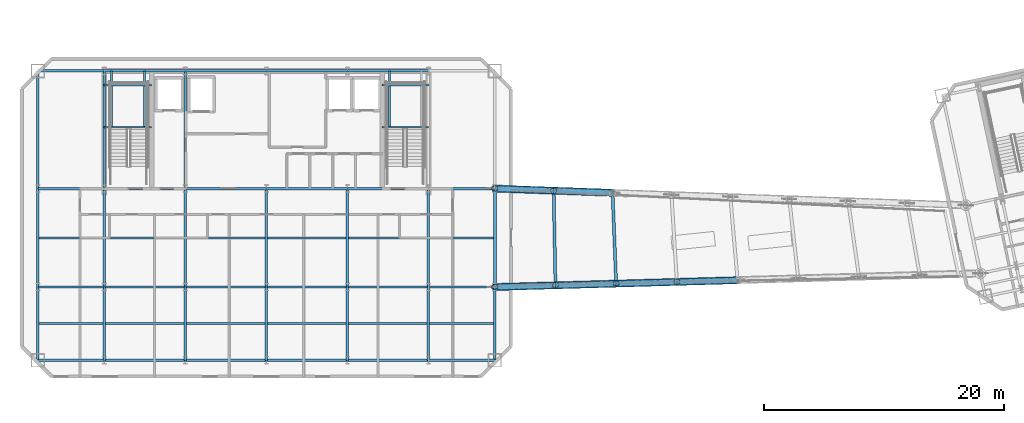
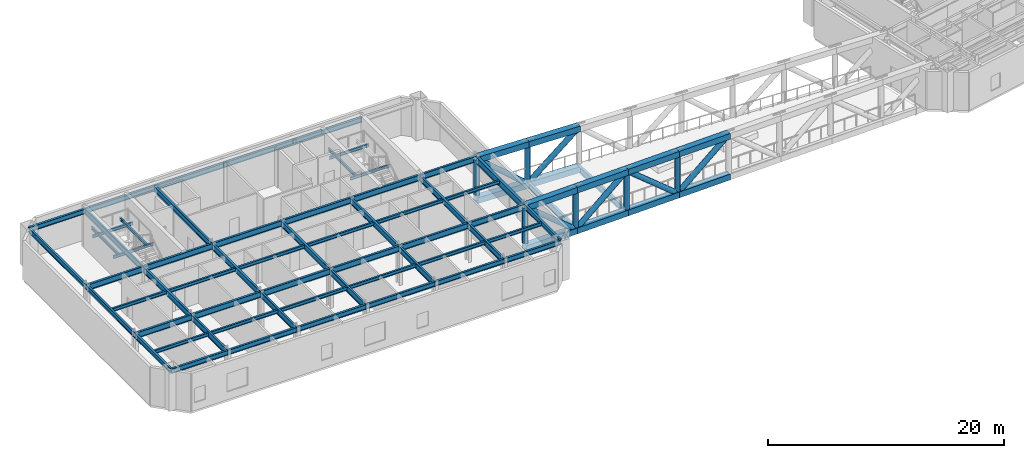
# One storey, part 3 of 14: 61 beams, 24 members.
"""IFC4 building model written with IfcOpenShell, lengths in metres."""

from ifc_helpers import new_model, si_unit, direction, frame, origin, origin_2d, place, context, subcontext, project, spatial, hollow_rectangle, hollow_circle, i_section, extrude, material, material_profile, profile_set, type_object, element, save


model = new_model("IFC4")

# Units and contexts
model_context = context("Model", 3, precision=1e-05, world=origin(), true_north=direction((0.0, 1.0)))
body_context = subcontext(model_context, "Body", "Model", "MODEL_VIEW")
ifc_project = project(units=[si_unit("LENGTHUNIT", "METRE"), si_unit("AREAUNIT", "SQUARE_METRE"), si_unit("VOLUMEUNIT", "CUBIC_METRE"), si_unit("PLANEANGLEUNIT", "RADIAN"), si_unit("MASSUNIT", "GRAM", prefix="KILO")], contexts=[model_context])

# Site, building, storey
site_placement = place(None, origin())
site = spatial("IfcSite", under=ifc_project, at=site_placement, CompositionType="ELEMENT")
building_placement = place(site_placement, origin())
building = spatial("IfcBuilding", under=site, at=building_placement, Name="Haevon Station Towers", CompositionType="ELEMENT")
storey_placement = place(building_placement, frame((0.0, 0.0, 201.300048828125)))
storey = spatial("IfcBuildingStorey", under=building, at=storey_placement, Name="L55", CompositionType="ELEMENT", Elevation=201.300048828125)

# Beams
ifc_material_1 = material(Name="Steel S355", Category="steel")
ifc_material_profile_1 = material_profile(ifc_material_1, i_section(OverallWidth=0.199951171875, OverallDepth=0.60009765625, WebThickness=0.010986328125, FlangeThickness=0.01708984375, at=origin_2d()), Name="H-600x200x11x17")
ifc_profile_set_1 = profile_set([ifc_material_profile_1], Name="Steel S355")
beam_type_1 = type_object("IfcBeamType", Name="BM-G600", PredefinedType="BEAM", material=ifc_profile_set_1)
beam_1_placement = place(storey_placement, frame((18.47509765625, 30.0, 3.64990234375), z_axis=(1.0, 0.0, 0.0), x_axis=(0.0, 1.0, 0.0)))
element("IfcBeam", 1, at=beam_1_placement, inside=storey, type_object=beam_type_1, Name="BM-T1U-L55-02-01", PredefinedType="BEAM", context=body_context, shape_type="SweptSolid", body=[
    extrude(i_section(OverallWidth=0.199951171875, OverallDepth=0.60009765625, WebThickness=0.010986328125, FlangeThickness=0.01708984375, at=origin_2d()), origin(), (0.0, 0.0, 1.0), 5.52490234375),
])
for number, where, z_axis, x_axis, name in (
    (2, (24.0, 30.0, 3.64990234375), (1.0, 0.0, 0.0), (0.0, 1.0, 0.0), "BM-T1U-L55-02-02"),
    (3, (30.75, 30.0, 3.64990234375), (1.0, 0.0, 0.0), (0.0, 1.0, 0.0), "BM-T1U-L55-02-03"),
    (4, (37.5, 30.0, 3.64990234375), (1.0, 0.0, 0.0), (0.0, 1.0, 0.0), "BM-T1U-L55-02-04"),
    (5, (44.25, 30.0, 3.64990234375), (1.0, 0.0, 0.0), (0.0, 1.0, 0.0), "BM-T1U-L55-02-05"),
):
    element("IfcBeam", number, at=place(storey_placement, frame(where, z_axis=z_axis, x_axis=x_axis)), inside=storey, type_object=beam_type_1, Name=name, PredefinedType="BEAM", context=body_context, shape_type="SweptSolid", body=[
        extrude(i_section(OverallWidth=0.199951171875, OverallDepth=0.60009765625, WebThickness=0.010986328125, FlangeThickness=0.01708984375, at=origin_2d()), origin(), (0.0, 0.0, 1.0), 6.75),
    ])
for number, where, z_axis, x_axis, name in (
    (6, (51.0, 30.0, 3.64990234375), (1.0, 0.0, 0.0), (0.0, 1.0, 0.0), "BM-T1U-L55-02-06"),
    (7, (18.47509765625, 38.199951171875, 3.64990234375), (1.0, 0.0, 0.0), (0.0, 1.0, 0.0), "BM-T1U-L55-03-01"),
):
    element("IfcBeam", number, at=place(storey_placement, frame(where, z_axis=z_axis, x_axis=x_axis)), inside=storey, type_object=beam_type_1, Name=name, PredefinedType="BEAM", context=body_context, shape_type="SweptSolid", body=[
        extrude(i_section(OverallWidth=0.199951171875, OverallDepth=0.60009765625, WebThickness=0.010986328125, FlangeThickness=0.01708984375, at=origin_2d()), origin(), (0.0, 0.0, 1.0), 5.52490234375),
    ])
for number, where, z_axis, x_axis, name in (
    (8, (24.0, 38.199951171875, 3.64990234375), (1.0, 0.0, 0.0), (0.0, 1.0, 0.0), "BM-T1U-L55-03-02"),
    (9, (30.75, 38.199951171875, 3.64990234375), (1.0, 0.0, 0.0), (0.0, 1.0, 0.0), "BM-T1U-L55-03-03"),
    (10, (37.5, 38.199951171875, 3.64990234375), (1.0, 0.0, 0.0), (0.0, 1.0, 0.0), "BM-T1U-L55-03-04"),
    (11, (44.25, 38.199951171875, 3.64990234375), (1.0, 0.0, 0.0), (0.0, 1.0, 0.0), "BM-T1U-L55-03-05"),
):
    element("IfcBeam", number, at=place(storey_placement, frame(where, z_axis=z_axis, x_axis=x_axis)), inside=storey, type_object=beam_type_1, Name=name, PredefinedType="BEAM", context=body_context, shape_type="SweptSolid", body=[
        extrude(i_section(OverallWidth=0.199951171875, OverallDepth=0.60009765625, WebThickness=0.010986328125, FlangeThickness=0.01708984375, at=origin_2d()), origin(), (0.0, 0.0, 1.0), 6.75),
    ])
beam_2_placement = place(storey_placement, frame((51.0, 38.199951171875, 3.64990234375), z_axis=(1.0, 0.0, 0.0), x_axis=(0.0, 1.0, 0.0)))
element("IfcBeam", 12, at=beam_2_placement, inside=storey, type_object=beam_type_1, Name="BM-T1U-L55-03-06", PredefinedType="BEAM", context=body_context, shape_type="SweptSolid", body=[
    extrude(i_section(OverallWidth=0.199951171875, OverallDepth=0.60009765625, WebThickness=0.010986328125, FlangeThickness=0.01708984375, at=origin_2d()), origin(), (0.0, 0.0, 1.0), 5.52490234375),
])
beam_3_placement = place(storey_placement, frame((24.0, 23.89990234375, 3.64990234375), z_axis=(0.0, 1.0, 0.0), x_axis=(-1.0, 0.0, 0.0)))
element("IfcBeam", 13, at=beam_3_placement, inside=storey, type_object=beam_type_1, Name="BM-T1V-L55-02-01", PredefinedType="BEAM", context=body_context, shape_type="SweptSolid", body=[
    extrude(i_section(OverallWidth=0.199951171875, OverallDepth=0.60009765625, WebThickness=0.010986328125, FlangeThickness=0.01708984375, at=origin_2d()), origin(), (0.0, 0.0, 1.0), 6.10009765625),
])
beam_4_placement = place(storey_placement, frame((24.0, 30.0, 3.64990234375), z_axis=(0.0, 1.0, 0.0), x_axis=(-1.0, 0.0, 0.0)))
element("IfcBeam", 14, at=beam_4_placement, inside=storey, type_object=beam_type_1, Name="BM-T1V-L55-02-02", PredefinedType="BEAM", context=body_context, shape_type="SweptSolid", body=[
    extrude(i_section(OverallWidth=0.199951171875, OverallDepth=0.60009765625, WebThickness=0.010986328125, FlangeThickness=0.01708984375, at=origin_2d()), origin(), (0.0, 0.0, 1.0), 8.199951171875),
])
beam_5_placement = place(storey_placement, frame((24.0, 38.199951171875, 3.64990234375), z_axis=(0.0, 1.0, 0.0), x_axis=(-1.0, 0.0, 0.0)))
element("IfcBeam", 15, at=beam_5_placement, inside=storey, type_object=beam_type_1, Name="BM-T1V-L55-02-03", PredefinedType="BEAM", context=body_context, shape_type="SweptSolid", body=[
    extrude(i_section(OverallWidth=0.199951171875, OverallDepth=0.60009765625, WebThickness=0.010986328125, FlangeThickness=0.01708984375, at=origin_2d()), origin(), (0.0, 0.0, 1.0), 9.800048828125),
])
beam_6_placement = place(storey_placement, frame((30.75, 23.89990234375, 3.64990234375), z_axis=(0.0, 1.0, 0.0), x_axis=(-1.0, 0.0, 0.0)))
element("IfcBeam", 16, at=beam_6_placement, inside=storey, type_object=beam_type_1, Name="BM-T1V-L55-03-01", PredefinedType="BEAM", context=body_context, shape_type="SweptSolid", body=[
    extrude(i_section(OverallWidth=0.199951171875, OverallDepth=0.60009765625, WebThickness=0.010986328125, FlangeThickness=0.01708984375, at=origin_2d()), origin(), (0.0, 0.0, 1.0), 6.10009765625),
])
beam_7_placement = place(storey_placement, frame((30.75, 30.0, 3.64990234375), z_axis=(0.0, 1.0, 0.0), x_axis=(-1.0, 0.0, 0.0)))
element("IfcBeam", 17, at=beam_7_placement, inside=storey, type_object=beam_type_1, Name="BM-T1V-L55-03-02", PredefinedType="BEAM", context=body_context, shape_type="SweptSolid", body=[
    extrude(i_section(OverallWidth=0.199951171875, OverallDepth=0.60009765625, WebThickness=0.010986328125, FlangeThickness=0.01708984375, at=origin_2d()), origin(), (0.0, 0.0, 1.0), 8.199951171875),
])
beam_8_placement = place(storey_placement, frame((30.75, 38.199951171875, 3.64990234375), z_axis=(0.0, 1.0, 0.0), x_axis=(-1.0, 0.0, 0.0)))
element("IfcBeam", 18, at=beam_8_placement, inside=storey, type_object=beam_type_1, Name="BM-T1V-L55-03-03", PredefinedType="BEAM", context=body_context, shape_type="SweptSolid", body=[
    extrude(i_section(OverallWidth=0.199951171875, OverallDepth=0.60009765625, WebThickness=0.010986328125, FlangeThickness=0.01708984375, at=origin_2d()), origin(), (0.0, 0.0, 1.0), 9.800048828125),
])
beam_9_placement = place(storey_placement, frame((37.5, 23.89990234375, 3.64990234375), z_axis=(0.0, 1.0, 0.0), x_axis=(-1.0, 0.0, 0.0)))
element("IfcBeam", 19, at=beam_9_placement, inside=storey, type_object=beam_type_1, Name="BM-T1V-L55-04-01", PredefinedType="BEAM", context=body_context, shape_type="SweptSolid", body=[
    extrude(i_section(OverallWidth=0.199951171875, OverallDepth=0.60009765625, WebThickness=0.010986328125, FlangeThickness=0.01708984375, at=origin_2d()), origin(), (0.0, 0.0, 1.0), 6.10009765625),
])
beam_10_placement = place(storey_placement, frame((37.5, 30.0, 3.64990234375), z_axis=(0.0, 1.0, 0.0), x_axis=(-1.0, 0.0, 0.0)))
element("IfcBeam", 20, at=beam_10_placement, inside=storey, type_object=beam_type_1, Name="BM-T1V-L55-04-02", PredefinedType="BEAM", context=body_context, shape_type="SweptSolid", body=[
    extrude(i_section(OverallWidth=0.199951171875, OverallDepth=0.60009765625, WebThickness=0.010986328125, FlangeThickness=0.01708984375, at=origin_2d()), origin(), (0.0, 0.0, 1.0), 8.199951171875),
])
beam_11_placement = place(storey_placement, frame((44.25, 23.89990234375, 3.64990234375), z_axis=(0.0, 1.0, 0.0), x_axis=(-1.0, 0.0, 0.0)))
element("IfcBeam", 21, at=beam_11_placement, inside=storey, type_object=beam_type_1, Name="BM-T1V-L55-05-01", PredefinedType="BEAM", context=body_context, shape_type="SweptSolid", body=[
    extrude(i_section(OverallWidth=0.199951171875, OverallDepth=0.60009765625, WebThickness=0.010986328125, FlangeThickness=0.01708984375, at=origin_2d()), origin(), (0.0, 0.0, 1.0), 6.10009765625),
])
beam_12_placement = place(storey_placement, frame((44.25, 30.0, 3.64990234375), z_axis=(0.0, 1.0, 0.0), x_axis=(-1.0, 0.0, 0.0)))
element("IfcBeam", 22, at=beam_12_placement, inside=storey, type_object=beam_type_1, Name="BM-T1V-L55-05-02", PredefinedType="BEAM", context=body_context, shape_type="SweptSolid", body=[
    extrude(i_section(OverallWidth=0.199951171875, OverallDepth=0.60009765625, WebThickness=0.010986328125, FlangeThickness=0.01708984375, at=origin_2d()), origin(), (0.0, 0.0, 1.0), 8.199951171875),
])
beam_13_placement = place(storey_placement, frame((51.0, 23.89990234375, 3.64990234375), z_axis=(0.0, 1.0, 0.0), x_axis=(-1.0, 0.0, 0.0)))
element("IfcBeam", 23, at=beam_13_placement, inside=storey, type_object=beam_type_1, Name="BM-T1V-L55-06-01", PredefinedType="BEAM", context=body_context, shape_type="SweptSolid", body=[
    extrude(i_section(OverallWidth=0.199951171875, OverallDepth=0.60009765625, WebThickness=0.010986328125, FlangeThickness=0.01708984375, at=origin_2d()), origin(), (0.0, 0.0, 1.0), 6.10009765625),
])
beam_14_placement = place(storey_placement, frame((51.0, 30.0, 3.64990234375), z_axis=(0.0, 1.0, 0.0), x_axis=(-1.0, 0.0, 0.0)))
element("IfcBeam", 24, at=beam_14_placement, inside=storey, type_object=beam_type_1, Name="BM-T1V-L55-06-02", PredefinedType="BEAM", context=body_context, shape_type="SweptSolid", body=[
    extrude(i_section(OverallWidth=0.199951171875, OverallDepth=0.60009765625, WebThickness=0.010986328125, FlangeThickness=0.01708984375, at=origin_2d()), origin(), (0.0, 0.0, 1.0), 8.199951171875),
])
ifc_material_profile_2 = material_profile(ifc_material_1, i_section(OverallWidth=0.25, OverallDepth=0.64990234375, WebThickness=0.012939453125, FlangeThickness=0.02197265625, at=origin_2d()), Name="H-650x250x13x22")
ifc_profile_set_2 = profile_set([ifc_material_profile_2], Name="Steel S355")
beam_type_2 = type_object("IfcBeamType", Name="BM-G650", PredefinedType="BEAM", material=ifc_profile_set_2)
beam_15_placement = place(storey_placement, frame((61.581298828125, 30.141845703125, -0.574951171875), z_axis=(-0.019133178652, 0.999816943983, 0.0), x_axis=(-0.999816943983, -0.019133178652, 0.0)))
element("IfcBeam", 25, at=beam_15_placement, inside=storey, type_object=beam_type_2, Name="BM-SKP-L55-1", PredefinedType="BEAM", context=body_context, shape_type="SweptSolid", body=[
    extrude(i_section(OverallWidth=0.25, OverallDepth=0.64990234375, WebThickness=0.012939453125, FlangeThickness=0.02197265625, at=origin_2d()), origin(), (0.0, 0.0, 1.0), 7.8857421875),
])
beam_16_placement = place(storey_placement, frame((66.637451171875, 30.28369140625, -0.574951171875), z_axis=(-0.039807132798, 0.999207381968, 0.0), x_axis=(-0.999207381968, -0.039807132798, 0.0)))
element("IfcBeam", 26, at=beam_16_placement, inside=storey, type_object=beam_type_2, Name="BM-SKP-L55-2", PredefinedType="BEAM", context=body_context, shape_type="SweptSolid", body=[
    extrude(i_section(OverallWidth=0.25, OverallDepth=0.64990234375, WebThickness=0.012939453125, FlangeThickness=0.02197265625, at=origin_2d()), origin(), (0.0, 0.0, 1.0), 7.574462890625),
])
ifc_material_profile_3 = material_profile(ifc_material_1, i_section(OverallWidth=0.25, OverallDepth=0.699951171875, WebThickness=0.012939453125, FlangeThickness=0.02392578125, at=origin_2d()), Name="H-700x250x13x24")
ifc_profile_set_3 = profile_set([ifc_material_profile_3], Name="Steel S355")
beam_type_3 = type_object("IfcBeamType", Name="BM-G700", PredefinedType="BEAM", material=ifc_profile_set_3)
beam_17_placement = place(storey_placement, frame((56.52490234375, 30.0, 3.599853515625), z_axis=(0.0, 1.0, 0.0), x_axis=(-1.0, 0.0, 0.0)))
element("IfcBeam", 27, at=beam_17_placement, inside=storey, type_object=beam_type_3, Name="BM-T1V-L55-07-02", PredefinedType="BEAM", context=body_context, shape_type="SweptSolid", body=[
    extrude(i_section(OverallWidth=0.25, OverallDepth=0.699951171875, WebThickness=0.012939453125, FlangeThickness=0.02392578125, at=origin_2d()), origin(), (0.0, 0.0, 1.0), 8.199951171875),
])
ifc_material_profile_4 = material_profile(ifc_material_1, i_section(OverallWidth=0.175048828125, OverallDepth=0.35009765625, WebThickness=0.007080078125, FlangeThickness=0.010986328125, at=origin_2d()), Name="H-350x175x7x11")
ifc_profile_set_4 = profile_set([ifc_material_profile_4], Name="Steel S355")
beam_type_4 = type_object("IfcBeamType", Name="BM-J350", PredefinedType="JOIST", material=ifc_profile_set_4)
beam_18_placement = place(storey_placement, frame((18.5849609375, 26.949951171875, 3.77490234375), z_axis=(1.0, 0.0, 0.0), x_axis=(0.0, 1.0, 0.0)))
element("IfcBeam", 28, at=beam_18_placement, inside=storey, type_object=beam_type_4, Name="BM-T1J-L55-01-01", PredefinedType="JOIST", context=body_context, shape_type="SweptSolid", body=[
    extrude(i_section(OverallWidth=0.175048828125, OverallDepth=0.35009765625, WebThickness=0.007080078125, FlangeThickness=0.010986328125, at=origin_2d()), origin(), (0.0, 0.0, 1.0), 5.304931640625),
])
for number, where, z_axis, x_axis, name in (
    (29, (24.110107421875, 26.949951171875, 3.77490234375), (1.0, 0.0, 0.0), (0.0, 1.0, 0.0), "BM-T1J-L55-01-02"),
    (30, (30.860107421875, 26.949951171875, 3.77490234375), (1.0, 0.0, 0.0), (0.0, 1.0, 0.0), "BM-T1J-L55-01-03"),
    (31, (37.610107421875, 26.949951171875, 3.77490234375), (1.0, 0.0, 0.0), (0.0, 1.0, 0.0), "BM-T1J-L55-01-04"),
    (32, (44.360107421875, 26.949951171875, 3.77490234375), (1.0, 0.0, 0.0), (0.0, 1.0, 0.0), "BM-T1J-L55-01-05"),
):
    element("IfcBeam", number, at=place(storey_placement, frame(where, z_axis=z_axis, x_axis=x_axis)), inside=storey, type_object=beam_type_4, Name=name, PredefinedType="JOIST", context=body_context, shape_type="SweptSolid", body=[
        extrude(i_section(OverallWidth=0.175048828125, OverallDepth=0.35009765625, WebThickness=0.007080078125, FlangeThickness=0.010986328125, at=origin_2d()), origin(), (0.0, 0.0, 1.0), 6.52978515625),
    ])
for number, where, z_axis, x_axis, name in (
    (33, (51.110107421875, 26.949951171875, 3.77490234375), (1.0, 0.0, 0.0), (0.0, 1.0, 0.0), "BM-T1J-L55-01-06"),
    (34, (18.5849609375, 34.10009765625, 3.77490234375), (1.0, 0.0, 0.0), (0.0, 1.0, 0.0), "BM-T1J-L55-02-01"),
):
    element("IfcBeam", number, at=place(storey_placement, frame(where, z_axis=z_axis, x_axis=x_axis)), inside=storey, type_object=beam_type_4, Name=name, PredefinedType="JOIST", context=body_context, shape_type="SweptSolid", body=[
        extrude(i_section(OverallWidth=0.175048828125, OverallDepth=0.35009765625, WebThickness=0.007080078125, FlangeThickness=0.010986328125, at=origin_2d()), origin(), (0.0, 0.0, 1.0), 5.304931640625),
    ])
for number, where, z_axis, x_axis, name in (
    (35, (24.110107421875, 34.10009765625, 3.77490234375), (1.0, 0.0, 0.0), (0.0, 1.0, 0.0), "BM-T1J-L55-02-02"),
    (36, (30.860107421875, 34.10009765625, 3.77490234375), (1.0, 0.0, 0.0), (0.0, 1.0, 0.0), "BM-T1J-L55-02-03"),
    (37, (37.610107421875, 34.10009765625, 3.77490234375), (1.0, 0.0, 0.0), (0.0, 1.0, 0.0), "BM-T1J-L55-02-04"),
    (38, (44.360107421875, 34.10009765625, 3.77490234375), (1.0, 0.0, 0.0), (0.0, 1.0, 0.0), "BM-T1J-L55-02-05"),
):
    element("IfcBeam", number, at=place(storey_placement, frame(where, z_axis=z_axis, x_axis=x_axis)), inside=storey, type_object=beam_type_4, Name=name, PredefinedType="JOIST", context=body_context, shape_type="SweptSolid", body=[
        extrude(i_section(OverallWidth=0.175048828125, OverallDepth=0.35009765625, WebThickness=0.007080078125, FlangeThickness=0.010986328125, at=origin_2d()), origin(), (0.0, 0.0, 1.0), 6.52978515625),
    ])
beam_19_placement = place(storey_placement, frame((51.110107421875, 34.10009765625, 3.77490234375), z_axis=(1.0, 0.0, 0.0), x_axis=(0.0, 1.0, 0.0)))
element("IfcBeam", 39, at=beam_19_placement, inside=storey, type_object=beam_type_4, Name="BM-T1J-L55-02-06", PredefinedType="JOIST", context=body_context, shape_type="SweptSolid", body=[
    extrude(i_section(OverallWidth=0.175048828125, OverallDepth=0.35009765625, WebThickness=0.007080078125, FlangeThickness=0.010986328125, at=origin_2d()), origin(), (0.0, 0.0, 1.0), 5.304931640625),
])
ifc_material_profile_5 = material_profile(ifc_material_1, i_section(OverallWidth=0.14990234375, OverallDepth=0.300048828125, WebThickness=0.006591796875, FlangeThickness=0.009033203125, at=origin_2d()), Name="H-300x150x6.5x9")
ifc_profile_set_5 = profile_set([ifc_material_profile_5], Name="Steel S355")
beam_type_5 = type_object("IfcBeamType", Name="BM-LIN300", PredefinedType="LINTEL", material=ifc_profile_set_5)
for number, where, z_axis, x_axis, name in (
    (40, (24.0, 43.303955078125, 1.75), (1.0, 0.0, 0.0), (0.0, 1.0, 0.0), "BM-ST1L-L55-1-S"),
    (41, (24.0, 46.820068359375, 1.75), (1.0, 0.0, 0.0), (0.0, 1.0, 0.0), "BM-ST1L-L55-1-N"),
):
    element("IfcBeam", number, at=place(storey_placement, frame(where, z_axis=z_axis, x_axis=x_axis)), inside=storey, type_object=beam_type_5, Name=name, PredefinedType="LINTEL", context=body_context, shape_type="SweptSolid", body=[
        extrude(i_section(OverallWidth=0.14990234375, OverallDepth=0.300048828125, WebThickness=0.006591796875, FlangeThickness=0.009033203125, at=origin_2d()), origin(), (0.0, 0.0, 1.0), 3.949951171875),
    ])
for number, where, z_axis, x_axis, name in (
    (42, (24.60009765625, 43.303955078125, 1.75), (0.0, 1.0, 0.0), (-1.0, 0.0, 0.0), "BM-ST1L-L55-1-W"),
    (43, (27.35009765625, 43.303955078125, 1.75), (0.0, 1.0, 0.0), (-1.0, 0.0, 0.0), "BM-ST1L-L55-1-E"),
):
    element("IfcBeam", number, at=place(storey_placement, frame(where, z_axis=z_axis, x_axis=x_axis)), inside=storey, type_object=beam_type_5, Name=name, PredefinedType="LINTEL", context=body_context, shape_type="SweptSolid", body=[
        extrude(i_section(OverallWidth=0.14990234375, OverallDepth=0.300048828125, WebThickness=0.006591796875, FlangeThickness=0.009033203125, at=origin_2d()), origin(), (0.0, 0.0, 1.0), 4.696044921875),
    ])
for number, where, z_axis, x_axis, name in (
    (44, (47.14990234375, 43.303955078125, 1.75), (1.0, 0.0, 0.0), (0.0, 1.0, 0.0), "BM-ST2L-L55-1-S"),
    (45, (47.14990234375, 46.820068359375, 1.75), (1.0, 0.0, 0.0), (0.0, 1.0, 0.0), "BM-ST2L-L55-1-N"),
):
    element("IfcBeam", number, at=place(storey_placement, frame(where, z_axis=z_axis, x_axis=x_axis)), inside=storey, type_object=beam_type_5, Name=name, PredefinedType="LINTEL", context=body_context, shape_type="SweptSolid", body=[
        extrude(i_section(OverallWidth=0.14990234375, OverallDepth=0.300048828125, WebThickness=0.006591796875, FlangeThickness=0.009033203125, at=origin_2d()), origin(), (0.0, 0.0, 1.0), 3.85009765625),
    ])
beam_20_placement = place(storey_placement, frame((47.75, 43.303955078125, 1.75), z_axis=(0.0, 1.0, 0.0), x_axis=(-1.0, 0.0, 0.0)))
element("IfcBeam", 46, at=beam_20_placement, inside=storey, type_object=beam_type_5, Name="BM-ST2L-L55-1-W", PredefinedType="LINTEL", context=body_context, shape_type="SweptSolid", body=[
    extrude(i_section(OverallWidth=0.14990234375, OverallDepth=0.300048828125, WebThickness=0.006591796875, FlangeThickness=0.009033203125, at=origin_2d()), origin(), (0.0, 0.0, 1.0), 4.696044921875),
])
ifc_material_profile_6 = material_profile(ifc_material_1, i_section(OverallWidth=0.199951171875, OverallDepth=0.5, WebThickness=0.010009765625, FlangeThickness=0.01611328125, at=origin_2d()), Name="H-500x200x10x16")
ifc_profile_set_6 = profile_set([ifc_material_profile_6], Name="Steel S355")
beam_type_6 = type_object("IfcBeamType", Name="BM-SP500", PredefinedType="SPANDREL", material=ifc_profile_set_6)
beam_21_placement = place(storey_placement, frame((18.47509765625, 23.89990234375, 3.699951171875), z_axis=(1.0, 0.0, 0.0), x_axis=(0.0, 1.0, 0.0)))
element("IfcBeam", 47, at=beam_21_placement, inside=storey, type_object=beam_type_6, Name="BM-T1U-L55-01-01", PredefinedType="SPANDREL", context=body_context, shape_type="SweptSolid", body=[
    extrude(i_section(OverallWidth=0.199951171875, OverallDepth=0.5, WebThickness=0.010009765625, FlangeThickness=0.01611328125, at=origin_2d()), origin(), (0.0, 0.0, 1.0), 5.52490234375),
])
for number, where, z_axis, x_axis, name in (
    (48, (24.0, 23.89990234375, 3.699951171875), (1.0, 0.0, 0.0), (0.0, 1.0, 0.0), "BM-T1U-L55-01-02"),
    (49, (30.75, 23.89990234375, 3.699951171875), (1.0, 0.0, 0.0), (0.0, 1.0, 0.0), "BM-T1U-L55-01-03"),
    (50, (37.5, 23.89990234375, 3.699951171875), (1.0, 0.0, 0.0), (0.0, 1.0, 0.0), "BM-T1U-L55-01-04"),
    (51, (44.25, 23.89990234375, 3.699951171875), (1.0, 0.0, 0.0), (0.0, 1.0, 0.0), "BM-T1U-L55-01-05"),
):
    element("IfcBeam", number, at=place(storey_placement, frame(where, z_axis=z_axis, x_axis=x_axis)), inside=storey, type_object=beam_type_6, Name=name, PredefinedType="SPANDREL", context=body_context, shape_type="SweptSolid", body=[
        extrude(i_section(OverallWidth=0.199951171875, OverallDepth=0.5, WebThickness=0.010009765625, FlangeThickness=0.01611328125, at=origin_2d()), origin(), (0.0, 0.0, 1.0), 6.75),
    ])
for number, where, z_axis, x_axis, name in (
    (52, (51.0, 23.89990234375, 3.699951171875), (1.0, 0.0, 0.0), (0.0, 1.0, 0.0), "BM-T1U-L55-01-06"),
    (53, (18.47509765625, 48.0, 3.699951171875), (1.0, 0.0, 0.0), (0.0, 1.0, 0.0), "BM-T1U-L55-04-01"),
):
    element("IfcBeam", number, at=place(storey_placement, frame(where, z_axis=z_axis, x_axis=x_axis)), inside=storey, type_object=beam_type_6, Name=name, PredefinedType="SPANDREL", context=body_context, shape_type="SweptSolid", body=[
        extrude(i_section(OverallWidth=0.199951171875, OverallDepth=0.5, WebThickness=0.010009765625, FlangeThickness=0.01611328125, at=origin_2d()), origin(), (0.0, 0.0, 1.0), 5.52490234375),
    ])
for number, where, z_axis, x_axis, name in (
    (54, (24.0, 48.0, 3.699951171875), (1.0, 0.0, 0.0), (0.0, 1.0, 0.0), "BM-T1U-L55-04-02"),
    (55, (30.75, 48.0, 3.699951171875), (1.0, 0.0, 0.0), (0.0, 1.0, 0.0), "BM-T1U-L55-04-03"),
    (56, (37.5, 48.0, 3.699951171875), (1.0, 0.0, 0.0), (0.0, 1.0, 0.0), "BM-T1U-L55-04-04"),
    (57, (44.25, 48.0, 3.699951171875), (1.0, 0.0, 0.0), (0.0, 1.0, 0.0), "BM-T1U-L55-04-05"),
):
    element("IfcBeam", number, at=place(storey_placement, frame(where, z_axis=z_axis, x_axis=x_axis)), inside=storey, type_object=beam_type_6, Name=name, PredefinedType="SPANDREL", context=body_context, shape_type="SweptSolid", body=[
        extrude(i_section(OverallWidth=0.199951171875, OverallDepth=0.5, WebThickness=0.010009765625, FlangeThickness=0.01611328125, at=origin_2d()), origin(), (0.0, 0.0, 1.0), 6.75),
    ])
beam_22_placement = place(storey_placement, frame((18.47509765625, 23.89990234375, 3.699951171875), z_axis=(0.0, 1.0, 0.0), x_axis=(-1.0, 0.0, 0.0)))
element("IfcBeam", 58, at=beam_22_placement, inside=storey, type_object=beam_type_6, Name="BM-T1V-L55-01-01", PredefinedType="SPANDREL", context=body_context, shape_type="SweptSolid", body=[
    extrude(i_section(OverallWidth=0.199951171875, OverallDepth=0.5, WebThickness=0.010009765625, FlangeThickness=0.01611328125, at=origin_2d()), origin(), (0.0, 0.0, 1.0), 6.10009765625),
])
beam_23_placement = place(storey_placement, frame((18.47509765625, 30.0, 3.699951171875), z_axis=(0.0, 1.0, 0.0), x_axis=(-1.0, 0.0, 0.0)))
element("IfcBeam", 59, at=beam_23_placement, inside=storey, type_object=beam_type_6, Name="BM-T1V-L55-01-02", PredefinedType="SPANDREL", context=body_context, shape_type="SweptSolid", body=[
    extrude(i_section(OverallWidth=0.199951171875, OverallDepth=0.5, WebThickness=0.010009765625, FlangeThickness=0.01611328125, at=origin_2d()), origin(), (0.0, 0.0, 1.0), 8.199951171875),
])
beam_24_placement = place(storey_placement, frame((18.47509765625, 38.199951171875, 3.699951171875), z_axis=(0.0, 1.0, 0.0), x_axis=(-1.0, 0.0, 0.0)))
element("IfcBeam", 60, at=beam_24_placement, inside=storey, type_object=beam_type_6, Name="BM-T1V-L55-01-03", PredefinedType="SPANDREL", context=body_context, shape_type="SweptSolid", body=[
    extrude(i_section(OverallWidth=0.199951171875, OverallDepth=0.5, WebThickness=0.010009765625, FlangeThickness=0.01611328125, at=origin_2d()), origin(), (0.0, 0.0, 1.0), 9.800048828125),
])
beam_25_placement = place(storey_placement, frame((56.52490234375, 23.89990234375, 3.699951171875), z_axis=(0.0, 1.0, 0.0), x_axis=(-1.0, 0.0, 0.0)))
element("IfcBeam", 61, at=beam_25_placement, inside=storey, type_object=beam_type_6, Name="BM-T1V-L55-07-01", PredefinedType="SPANDREL", context=body_context, shape_type="SweptSolid", body=[
    extrude(i_section(OverallWidth=0.199951171875, OverallDepth=0.5, WebThickness=0.010009765625, FlangeThickness=0.01611328125, at=origin_2d()), origin(), (0.0, 0.0, 1.0), 6.10009765625),
])

# Members
ifc_material_2 = material(Name="Steel S460", Category="steel")
ifc_material_profile_7 = material_profile(ifc_material_2, hollow_circle(Radius=0.25390625, WallThickness=0.02197265625, at=origin_2d()), Name="CHS-508x22")
ifc_profile_set_7 = profile_set([ifc_material_profile_7], Name="Steel S460")
member_type_1 = type_object("IfcMemberType", Name="BRSKP-508", PredefinedType="BRACE", material=ifc_profile_set_7)
member_1_placement = place(storey_placement, frame((56.52490234375, 30.0, 3.64990234375), z_axis=(0.76906721641, 0.021574431594, -0.638803694843), x_axis=(-0.028041693993, 0.999606754378, 0.0)))
element("IfcMember", 62, at=member_1_placement, inside=storey, type_object=member_type_1, Name="BR-SKP-S-L55-1", PredefinedType="BRACE", context=body_context, shape_type="SweptSolid", body=[
    extrude(hollow_circle(Radius=0.25390625, WallThickness=0.02197265625, at=origin_2d()), origin(), (0.0, 0.0, 1.0), 6.57470703125),
])
for number, where, z_axis, x_axis, name in (
    (63, (61.581298828125, 30.141845703125, -0.550048828125), (0.769052045495, 0.021575047727, 0.638821938129), (-0.028043046946, 0.999606716423, 0.0), "BR-SKP-S-L55-2"),
    (64, (66.637451171875, 30.28369140625, 3.64990234375), (0.769052045495, 0.021575047727, -0.638821938129), (-0.028043046946, 0.999606716423, 0.0), "BR-SKP-S-L55-3"),
):
    element("IfcMember", number, at=place(storey_placement, frame(where, z_axis=z_axis, x_axis=x_axis)), inside=storey, type_object=member_type_1, Name=name, PredefinedType="BRACE", context=body_context, shape_type="SweptSolid", body=[
        extrude(hollow_circle(Radius=0.25390625, WallThickness=0.02197265625, at=origin_2d()), origin(), (0.0, 0.0, 1.0), 6.574462890625),
    ])
member_2_placement = place(storey_placement, frame((71.693603515625, 30.425537109375, -0.550048828125), z_axis=(0.769066599758, 0.021611547538, 0.638803182639), x_axis=(-0.028089920477, 0.999605400329, 0.0)))
element("IfcMember", 65, at=member_2_placement, inside=storey, type_object=member_type_1, Name="BR-SKP-S-L55-4", PredefinedType="BRACE", context=body_context, shape_type="SweptSolid", body=[
    extrude(hollow_circle(Radius=0.25390625, WallThickness=0.02197265625, at=origin_2d()), origin(), (0.0, 0.0, 1.0), 6.57470703125),
])
for number, where, z_axis, x_axis, name in (
    (66, (56.52490234375, 38.199951171875, 3.64990234375), (0.75934704126, -0.02690763417, -0.650129256497), (0.035412999913, 0.999372763005, 0.0), "BR-SKP-N-L55-1"),
    (67, (61.430419921875, 38.026123046875, -0.550048828125), (0.759346268552, -0.026945398371, 0.650128594928), (0.035462674767, 0.99937100153, 0.0), "BR-SKP-N-L55-2"),
):
    element("IfcMember", number, at=place(storey_placement, frame(where, z_axis=z_axis, x_axis=x_axis)), inside=storey, type_object=member_type_1, Name=name, PredefinedType="BRACE", context=body_context, shape_type="SweptSolid", body=[
        extrude(hollow_circle(Radius=0.25390625, WallThickness=0.02197265625, at=origin_2d()), origin(), (0.0, 0.0, 1.0), 6.460205078125),
    ])
ifc_material_profile_8 = material_profile(ifc_material_2, hollow_rectangle(XDim=0.60009765625, YDim=0.60009765625, WallThickness=0.030029296875, at=origin_2d()), Name="RHS-600x600x30")
ifc_profile_set_8 = profile_set([ifc_material_profile_8], Name="Steel S460")
member_type_2 = type_object("IfcMemberType", Name="CHSKP-600", PredefinedType="CHORD", material=ifc_profile_set_8)
for number, where, z_axis, x_axis, name in (
    (68, (56.52490234375, 30.0, -0.550048828125), (0.999606754378, 0.028041693993, 0.0), (-0.028041693993, 0.999606754378, 0.0), "CH-SKP-S-MID-1"),
    (69, (56.52490234375, 30.0, 3.64990234375), (0.999606754378, 0.028041693993, 0.0), (-0.028041693993, 0.999606754378, 0.0), "CH-SKP-S-TOP-1"),
):
    element("IfcMember", number, at=place(storey_placement, frame(where, z_axis=z_axis, x_axis=x_axis)), inside=storey, type_object=member_type_2, Name=name, PredefinedType="CHORD", context=body_context, shape_type="SweptSolid", body=[
        extrude(hollow_rectangle(XDim=0.60009765625, YDim=0.60009765625, WallThickness=0.030029296875, at=origin_2d()), origin(), (0.0, 0.0, 1.0), 5.058349609375),
    ])
for number, where, z_axis, x_axis, name in (
    (70, (61.581298828125, 30.141845703125, -0.550048828125), (0.999606716423, 0.028043046946, 0.0), (-0.028043046946, 0.999606716423, 0.0), "CH-SKP-S-MID-2"),
    (71, (61.581298828125, 30.141845703125, 3.64990234375), (0.999606716423, 0.028043046946, 0.0), (-0.028043046946, 0.999606716423, 0.0), "CH-SKP-S-TOP-2"),
    (72, (66.637451171875, 30.28369140625, -0.550048828125), (0.999606716423, 0.028043046946, 0.0), (-0.028043046946, 0.999606716423, 0.0), "CH-SKP-S-MID-3"),
    (73, (66.637451171875, 30.28369140625, 3.64990234375), (0.999606716423, 0.028043046946, 0.0), (-0.028043046946, 0.999606716423, 0.0), "CH-SKP-S-TOP-3"),
):
    element("IfcMember", number, at=place(storey_placement, frame(where, z_axis=z_axis, x_axis=x_axis)), inside=storey, type_object=member_type_2, Name=name, PredefinedType="CHORD", context=body_context, shape_type="SweptSolid", body=[
        extrude(hollow_rectangle(XDim=0.60009765625, YDim=0.60009765625, WallThickness=0.030029296875, at=origin_2d()), origin(), (0.0, 0.0, 1.0), 5.05810546875),
    ])
for number, where, z_axis, x_axis, name in (
    (74, (71.693603515625, 30.425537109375, -0.550048828125), (0.999605400329, 0.028089920477, 0.0), (-0.028089920477, 0.999605400329, 0.0), "CH-SKP-S-MID-4"),
    (75, (71.693603515625, 30.425537109375, 3.64990234375), (0.999605400329, 0.028089920477, 0.0), (-0.028089920477, 0.999605400329, 0.0), "CH-SKP-S-TOP-4"),
):
    element("IfcMember", number, at=place(storey_placement, frame(where, z_axis=z_axis, x_axis=x_axis)), inside=storey, type_object=member_type_2, Name=name, PredefinedType="CHORD", context=body_context, shape_type="SweptSolid", body=[
        extrude(hollow_rectangle(XDim=0.60009765625, YDim=0.60009765625, WallThickness=0.030029296875, at=origin_2d()), origin(), (0.0, 0.0, 1.0), 5.058349609375),
    ])
for number, where, z_axis, x_axis, name in (
    (76, (56.52490234375, 38.199951171875, -0.550048828125), (0.999372763005, -0.035412999913, 0.0), (0.035412999913, 0.999372763005, 0.0), "CH-SKP-N-MID-1"),
    (77, (56.52490234375, 38.199951171875, 3.64990234375), (0.999372763005, -0.035412999913, 0.0), (0.035412999913, 0.999372763005, 0.0), "CH-SKP-N-TOP-1"),
    (78, (61.430419921875, 38.026123046875, -0.550048828125), (0.99937100153, -0.035462674767, 0.0), (0.035462674767, 0.99937100153, 0.0), "CH-SKP-N-MID-2"),
    (79, (61.430419921875, 38.026123046875, 3.64990234375), (0.99937100153, -0.035462674767, 0.0), (0.035462674767, 0.99937100153, 0.0), "CH-SKP-N-TOP-2"),
):
    element("IfcMember", number, at=place(storey_placement, frame(where, z_axis=z_axis, x_axis=x_axis)), inside=storey, type_object=member_type_2, Name=name, PredefinedType="CHORD", context=body_context, shape_type="SweptSolid", body=[
        extrude(hollow_rectangle(XDim=0.60009765625, YDim=0.60009765625, WallThickness=0.030029296875, at=origin_2d()), origin(), (0.0, 0.0, 1.0), 4.90869140625),
    ])
ifc_material_profile_9 = material_profile(ifc_material_2, hollow_circle(Radius=0.25390625, WallThickness=0.02197265625, at=origin_2d()), Name="CHS-508x22")
ifc_profile_set_9 = profile_set([ifc_material_profile_9], Name="Steel S460")
member_type_3 = type_object("IfcMemberType", Name="PSSKP-508", PredefinedType="POST", material=ifc_profile_set_9)
for number, where, z_axis, x_axis, name in (
    (80, (56.52490234375, 30.0, -0.550048828125), (0.0, 0.0, 1.0), (1.0, 0.0, 0.0), "PS-SKP-S-L55-1"),
    (81, (61.581298828125, 30.141845703125, -0.550048828125), (0.0, 0.0, 1.0), (1.0, 0.0, 0.0), "PS-SKP-S-L55-2"),
    (82, (66.637451171875, 30.28369140625, -0.550048828125), (0.0, 0.0, 1.0), (1.0, 0.0, 0.0), "PS-SKP-S-L55-3"),
    (83, (71.693603515625, 30.425537109375, -0.550048828125), (0.0, 0.0, 1.0), (1.0, 0.0, 0.0), "PS-SKP-S-L55-4"),
    (84, (56.52490234375, 38.199951171875, -0.550048828125), (0.0, 0.0, 1.0), (1.0, 0.0, 0.0), "PS-SKP-N-L55-1"),
    (85, (61.430419921875, 38.026123046875, -0.550048828125), (0.0, 0.0, 1.0), (1.0, 0.0, 0.0), "PS-SKP-N-L55-2"),
):
    element("IfcMember", number, at=place(storey_placement, frame(where, z_axis=z_axis, x_axis=x_axis)), inside=storey, type_object=member_type_3, Name=name, PredefinedType="POST", context=body_context, shape_type="SweptSolid", body=[
        extrude(hollow_circle(Radius=0.25390625, WallThickness=0.02197265625, at=origin_2d()), origin(), (0.0, 0.0, 1.0), 4.199951171875),
    ])

save(model, "model.ifc")
